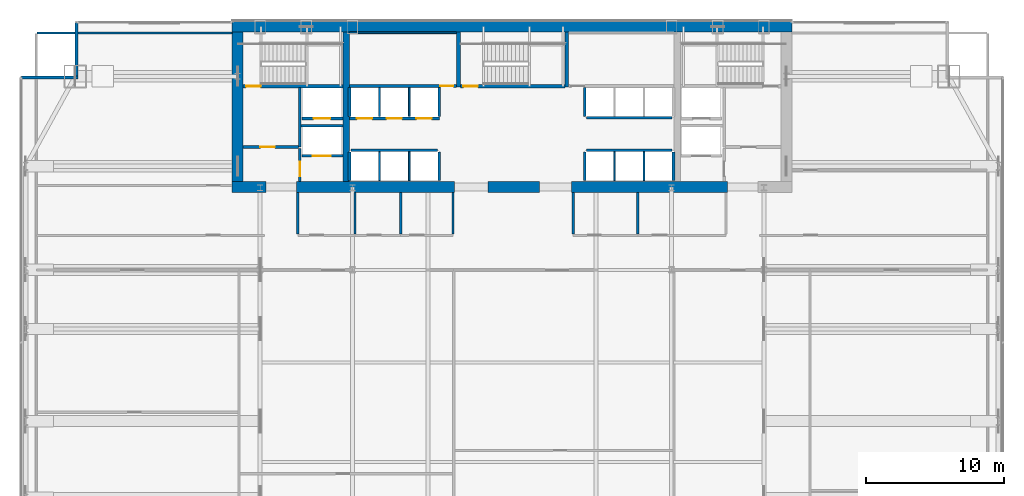
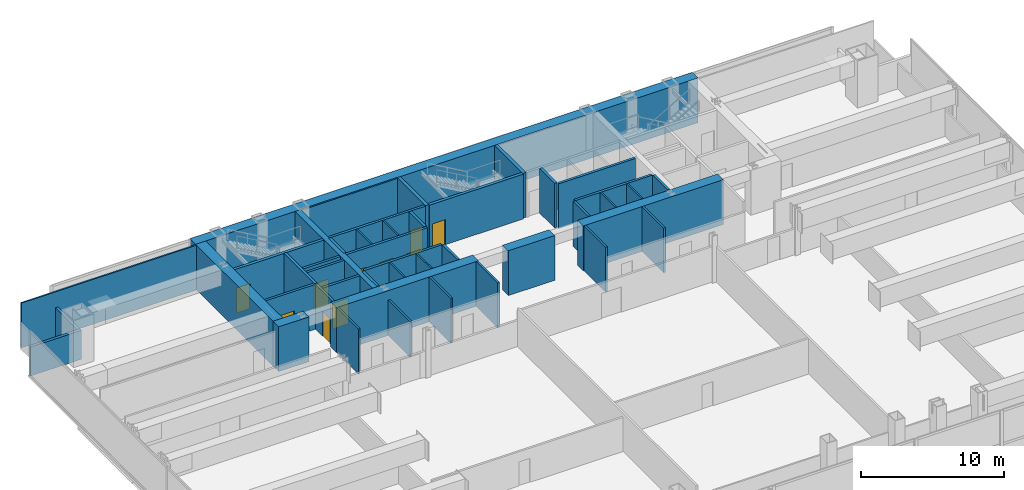
# One storey, part 28 of 32: 45 walls, 10 doors, 10 openings.
"""IFC4 building model written with IfcOpenShell, lengths in metres."""

from ifc_helpers import new_model, si_unit, direction, frame, frame_2d, origin, place, context, subcontext, project, spatial, rectangle, extrude, material, layer, layer_set, type_object, element, fill, save


model = new_model("IFC4")

# Units and contexts
model_context = context("Model", 3, precision=1e-05, world=origin(), true_north=direction((0.0, 1.0)))
body_context = subcontext(model_context, "Body", "Model", "MODEL_VIEW")
ifc_project = project(units=[si_unit("LENGTHUNIT", "METRE"), si_unit("AREAUNIT", "SQUARE_METRE"), si_unit("VOLUMEUNIT", "CUBIC_METRE"), si_unit("PLANEANGLEUNIT", "RADIAN"), si_unit("MASSUNIT", "GRAM", prefix="KILO")], contexts=[model_context])

# Site, building, storey
site_placement = place(None, origin())
site = spatial("IfcSite", under=ifc_project, at=site_placement, CompositionType="ELEMENT")
building_placement = place(site_placement, origin())
building = spatial("IfcBuilding", under=site, at=building_placement, Name="Khoronbel Lancet Exchange", CompositionType="ELEMENT")
storey_placement = place(building_placement, frame((0.0, 0.0, 77.800048828125)))
storey = spatial("IfcBuildingStorey", under=building, at=storey_placement, Name="L18", CompositionType="ELEMENT", Elevation=77.800048828125)

# Walls
ifc_material_1 = material(Name="Concrete C80/95", Category="concrete")
ifc_layer_1 = layer(ifc_material_1, 0.800048828125, Name="Concrete C80/95")
ifc_layer_set_1 = layer_set([ifc_layer_1], Name="Concrete C80/95")
wall_type_1 = type_object("IfcWallType", Name="WL-CW1", PredefinedType="SHEAR", material=ifc_layer_set_1)
wall_1_placement = place(storey_placement, frame((16.199951171875, 53.300048828125, 0.0), z_axis=(0.0, 0.0, 1.0), x_axis=(1.0, 0.0, 0.0)))
element("IfcWall", 1, at=wall_1_placement, inside=storey, type_object=wall_type_1, Name="Level L18 rear core north shear wall", PredefinedType="SHEAR", context=body_context, shape_type="SweptSolid", body=[
    extrude(rectangle(XDim=40.5, YDim=0.800048828125, at=frame_2d((20.25, 0.0))), origin(), (0.0, 0.0, 1.0), 3.820068359375),
])
wall_2_placement = place(storey_placement, frame((16.60009765625, 42.10009765625, 0.0), z_axis=(0.0, 0.0, 1.0), x_axis=(0.0, 1.0, 0.0)))
element("IfcWall", 2, at=wall_2_placement, inside=storey, type_object=wall_type_1, Name="Level L18 rear core west shear wall", PredefinedType="SHEAR", context=body_context, shape_type="SweptSolid", body=[
    extrude(rectangle(XDim=10.7998046875, YDim=0.800048828125, at=frame_2d((5.39990234375, 0.0))), origin(), (0.0, 0.0, 1.0), 3.820068359375),
])
wall_3_placement = place(storey_placement, frame((18.64990234375, 41.699951171875, 0.0), z_axis=(0.0, 0.0, 1.0), x_axis=(-1.0, 0.0, 0.0)))
element("IfcWall", 3, at=wall_3_placement, inside=storey, type_object=wall_type_1, Name="Level L18 rear core south shear wall pier P1", PredefinedType="SHEAR", context=body_context, shape_type="SweptSolid", body=[
    extrude(rectangle(XDim=2.449951171875, YDim=0.800048828125, at=frame_2d((1.22509765625, 0.0))), origin(), (0.0, 0.0, 1.0), 3.820068359375),
])
wall_4_placement = place(storey_placement, frame((32.300048828125, 41.699951171875, 0.0), z_axis=(0.0, 0.0, 1.0), x_axis=(-1.0, 0.0, 0.0)))
element("IfcWall", 4, at=wall_4_placement, inside=storey, type_object=wall_type_1, Name="Level L18 rear core south shear wall pier P2", PredefinedType="SHEAR", context=body_context, shape_type="SweptSolid", body=[
    extrude(rectangle(XDim=11.449951171875, YDim=0.800048828125, at=frame_2d((5.72509765625, 0.0))), origin(), (0.0, 0.0, 1.0), 3.820068359375),
])
wall_5_placement = place(storey_placement, frame((38.449951171875, 41.699951171875, 0.0), z_axis=(0.0, 0.0, 1.0), x_axis=(-1.0, 0.0, 0.0)))
element("IfcWall", 5, at=wall_5_placement, inside=storey, type_object=wall_type_1, Name="Level L18 rear core south shear wall pier P3", PredefinedType="SHEAR", context=body_context, shape_type="SweptSolid", body=[
    extrude(rectangle(XDim=3.75, YDim=0.800048828125, at=frame_2d((1.875, 0.0))), origin(), (0.0, 0.0, 1.0), 3.820068359375),
])
wall_6_placement = place(storey_placement, frame((52.050048828125, 41.699951171875, 0.0), z_axis=(0.0, 0.0, 1.0), x_axis=(-1.0, 0.0, 0.0)))
element("IfcWall", 6, at=wall_6_placement, inside=storey, type_object=wall_type_1, Name="Level L18 rear core south shear wall pier P4", PredefinedType="SHEAR", context=body_context, shape_type="SweptSolid", body=[
    extrude(rectangle(XDim=11.300048828125, YDim=0.800048828125, at=frame_2d((5.64990234375, 0.0))), origin(), (0.0, 0.0, 1.0), 3.820068359375),
])
ifc_material_2 = material(Name="Precast concrete C40/50", Category="concrete")
ifc_layer_2 = layer(ifc_material_2, 0.25, Name="Precast concrete C40/50")
ifc_layer_set_2 = layer_set([ifc_layer_2], Name="Precast concrete C40/50")
wall_type_2 = type_object("IfcWallType", Name="WL-EXT250", PredefinedType="SOLIDWALL", material=ifc_layer_set_2)
wall_7_placement = place(storey_placement, frame((0.919921875, 49.610107421875, 0.0), z_axis=(0.0, 0.0, 1.0), x_axis=(1.0, 0.0, 0.0)))
element("IfcWall", 7, at=wall_7_placement, inside=storey, type_object=wall_type_2, Name="Level L18 notched-corner limestone pier 04", PredefinedType="SOLIDWALL", context=body_context, shape_type="SweptSolid", body=[
    extrude(rectangle(XDim=4.130126953125, YDim=0.219970703125, at=frame_2d((2.06494140625, 0.0))), origin(), (0.0, 0.0, 1.0), 2.469970703125),
])
wall_8_placement = place(storey_placement, frame((4.93994140625, 49.719970703125, 0.0), z_axis=(0.0, 0.0, 1.0), x_axis=(0.0, 1.0, 0.0)))
element("IfcWall", 8, at=wall_8_placement, inside=storey, type_object=wall_type_2, Name="Level L18 notched-corner limestone pier 05", PredefinedType="SOLIDWALL", context=body_context, shape_type="SweptSolid", body=[
    extrude(rectangle(XDim=3.909912109375, YDim=0.219970703125, at=frame_2d((1.955078125, 0.0))), origin(), (0.0, 0.0, 1.0), 2.469970703125),
])
ifc_material_3 = material(Name="Acoustic Metal-Stud & Mineral-Wool Gypsum Partition 120 mm", Category="gypsum")
ifc_layer_3 = layer(ifc_material_3, 0.1201171875, Name="Acoustic Metal-Stud & Mineral-Wool Gypsum Partition 120 mm")
ifc_layer_set_3 = layer_set([ifc_layer_3], Name="Acoustic Metal-Stud & Mineral-Wool Gypsum Partition 120 mm")
wall_type_3 = type_object("IfcWallType", Name="WL-PRT120", PredefinedType="PARTITIONING", material=ifc_layer_set_3)
wall_9_placement = place(storey_placement, frame((20.949951171875, 38.280029296875, 0.0), z_axis=(0.0, 0.0, 1.0), x_axis=(0.0, 1.0, 0.0)))
element("IfcWall", 9, at=wall_9_placement, inside=storey, type_object=wall_type_3, Name="Level L18 interior partition PW-WC-0", PredefinedType="PARTITIONING", context=body_context, shape_type="SweptSolid", body=[
    extrude(rectangle(XDim=3.02001953125, YDim=0.14990234375, at=frame_2d((1.510009765625, 0.0))), origin(), (0.0, 0.0, 1.0), 3.820068359375),
])
wall_10_placement = place(storey_placement, frame((25.10009765625, 38.280029296875, 0.0), z_axis=(0.0, 0.0, 1.0), x_axis=(0.0, 1.0, 0.0)))
element("IfcWall", 10, at=wall_10_placement, inside=storey, type_object=wall_type_3, Name="Level L18 interior partition PW-WC-1", PredefinedType="PARTITIONING", context=body_context, shape_type="SweptSolid", body=[
    extrude(rectangle(XDim=3.02001953125, YDim=0.14990234375, at=frame_2d((1.510009765625, 0.0))), origin(), (0.0, 0.0, 1.0), 3.010009765625),
])
for number, where, z_axis, x_axis, name in (
    (11, (28.39990234375, 38.280029296875, 0.0), (0.0, 0.0, 1.0), (0.0, 1.0, 0.0), "Level L18 interior partition PW-WC-2"),
    (12, (32.179931640625, 38.280029296875, 0.0), (0.0, 0.0, 1.0), (0.0, 1.0, 0.0), "Level L18 interior partition PW-WC-3"),
    (13, (40.8798828125, 38.280029296875, 0.0), (0.0, 0.0, 1.0), (0.0, 1.0, 0.0), "Level L18 interior partition PW-NP-0"),
    (14, (45.550048828125, 38.280029296875, 0.0), (0.0, 0.0, 1.0), (0.0, 1.0, 0.0), "Level L18 interior partition PW-NP-M"),
):
    element("IfcWall", number, at=place(storey_placement, frame(where, z_axis=z_axis, x_axis=x_axis)), inside=storey, type_object=wall_type_3, Name=name, PredefinedType="PARTITIONING", context=body_context, shape_type="SweptSolid", body=[
        extrude(rectangle(XDim=3.02001953125, YDim=0.14990234375, at=frame_2d((1.510009765625, 0.0))), origin(), (0.0, 0.0, 1.0), 3.820068359375),
    ])
wall_11_placement = place(storey_placement, frame((2.094970703125, 52.840087890625, 0.0), z_axis=(0.0, 0.0, 1.0), x_axis=(1.0, 0.0, 0.0)))
element("IfcWall", 15, at=wall_11_placement, inside=storey, type_object=wall_type_3, Name="Level L18 interior partition PW-LIN-NW", PredefinedType="PARTITIONING", context=body_context, shape_type="SweptSolid", body=[
    extrude(rectangle(XDim=14.10498046875, YDim=0.1201171875, at=frame_2d((7.052490234375, 0.0))), origin(), (0.0, 0.0, 1.0), 3.820068359375),
])
ifc_material_4 = material(Name="Fire-Rated Metal-Stud & Mineral-Wool Gypsum Partition 120 mm", Category="gypsum")
ifc_layer_4 = layer(ifc_material_4, 0.1201171875, Name="Fire-Rated Metal-Stud & Mineral-Wool Gypsum Partition 120 mm")
ifc_layer_set_4 = layer_set([ifc_layer_4], Name="Fire-Rated Metal-Stud & Mineral-Wool Gypsum Partition 120 mm")
wall_type_4 = type_object("IfcWallType", Name="WL-PRT120F", PredefinedType="PARTITIONING", material=ifc_layer_set_4)
for number, where, z_axis, x_axis, name in (
    (16, (26.860107421875, 46.800048828125, 0.0), (0.0, 0.0, 1.0), (0.0, 1.0, 0.0), "Level L18 interior partition CW-PL-D1"),
    (17, (29.02001953125, 46.800048828125, 0.0), (0.0, 0.0, 1.0), (0.0, 1.0, 0.0), "Level L18 interior partition CW-PL-D2"),
):
    element("IfcWall", number, at=place(storey_placement, frame(where, z_axis=z_axis, x_axis=x_axis)), inside=storey, type_object=wall_type_4, Name=name, PredefinedType="PARTITIONING", context=body_context, shape_type="SweptSolid", body=[
        extrude(rectangle(XDim=2.094970703125, YDim=0.1201171875, at=frame_2d((1.04736328125, 0.0))), origin(), (0.0, 0.0, 1.0), 3.820068359375),
    ])
for number, where, z_axis, x_axis, name in (
    (18, (26.860107421875, 42.14990234375, 0.0), (0.0, 0.0, 1.0), (0.0, 1.0, 0.0), "Level L18 interior partition CW-PM-D1"),
    (19, (29.02001953125, 42.14990234375, 0.0), (0.0, 0.0, 1.0), (0.0, 1.0, 0.0), "Level L18 interior partition CW-PM-D2"),
    (20, (43.860107421875, 42.14990234375, 0.0), (0.0, 0.0, 1.0), (0.0, 1.0, 0.0), "Level L18 interior partition CW-PX-D1"),
    (21, (46.0, 42.14990234375, 0.0), (0.0, 0.0, 1.0), (0.0, 1.0, 0.0), "Level L18 interior partition CW-PX-D2"),
):
    element("IfcWall", number, at=place(storey_placement, frame(where, z_axis=z_axis, x_axis=x_axis)), inside=storey, type_object=wall_type_4, Name=name, PredefinedType="PARTITIONING", context=body_context, shape_type="SweptSolid", body=[
        extrude(rectangle(XDim=2.09521484375, YDim=0.1201171875, at=frame_2d((1.047607421875, 0.0))), origin(), (0.0, 0.0, 1.0), 3.820068359375),
    ])
wall_12_placement = place(storey_placement, frame((24.699951171875, 52.860107421875, 0.0), z_axis=(0.0, 0.0, 1.0), x_axis=(1.0, 0.0, 0.0)))
element("IfcWall", 22, at=wall_12_placement, inside=storey, type_object=wall_type_4, Name="Level L18 interior partition CW-SUP-NW-N", PredefinedType="PARTITIONING", context=body_context, shape_type="SweptSolid", body=[
    extrude(rectangle(XDim=7.719970703125, YDim=0.1201171875, at=frame_2d((3.85986328125, 0.0))), origin(), (0.0, 0.0, 1.0), 3.820068359375),
])

# Wall, opening, door
ifc_material_5 = material(Name="Autoclaved Aerated Concrete Blockwork 200 mm", Category="masonry")
ifc_layer_5 = layer(ifc_material_5, 0.199951171875, Name="Autoclaved Aerated Concrete Blockwork 200 mm")
ifc_layer_set_5 = layer_set([ifc_layer_5], Name="Autoclaved Aerated Concrete Blockwork 200 mm")
wall_type_5 = type_object("IfcWallType", Name="WL-PRT200", PredefinedType="PARTITIONING", material=ifc_layer_set_5)
wall_13_placement = place(storey_placement, frame((24.2099609375, 43.949951171875, 0.0), z_axis=(0.0, 0.0, 1.0), x_axis=(-1.0, 0.0, 0.0)))
wall_13 = element("IfcWall", 23, at=wall_13_placement, inside=storey, type_object=wall_type_5, Name="Level L18 elevator hoistway landing front wall SVLW", PredefinedType="PARTITIONING", context=body_context, shape_type="SweptSolid", body=[
    extrude(rectangle(XDim=2.969970703125, YDim=0.199951171875, at=frame_2d((1.48486328125, 0.0))), origin(), (0.0, 0.0, 1.0), 3.820068359375),
])
opening_1_placement = place(wall_13_placement, frame((0.860107421875, 0.0, 0.0)))
opening_1 = element("IfcOpeningElement", 24, at=opening_1_placement, cuts=wall_13, Name="Opening LD-SVL1", PredefinedType="OPENING", context=body_context, shape_type="SweptSolid", body=[
    extrude(rectangle(XDim=1.300048828125, YDim=2.179931640625, at=frame_2d((0.64990234375, 1.08984375))), frame((0.0, 0.10986328125, 0.0), z_axis=(0.0, -1.0, 0.0), x_axis=(1.0, 0.0, 0.0)), (0.0, 0.0, 1.0), 0.219970703125),
])
ifc_material_6 = material(Name="Heavy-Duty Bi-Parting Goods Lift Landing Door", Category="steel")
door_type_1 = type_object("IfcDoorType", Name="DR-LD-SVL", OperationType="NOTDEFINED", PredefinedType="DOOR", material=ifc_material_6)
door_1_placement = place(opening_1_placement, origin())
door_1 = element("IfcDoor", 25, at=door_1_placement, inside=storey, type_object=door_type_1, Name="Elevator landing sliding door LD-SVL1 L18", OperationType="SLIDING_TO_LEFT", OverallHeight=2.179931640625, OverallWidth=1.300048828125, PredefinedType="DOOR", context=body_context, shape_type="SweptSolid", body=[
    extrude(rectangle(XDim=1.300048828125, YDim=2.179931640625, at=frame_2d((0.64990234375, 1.08984375))), frame((0.0, 0.02490234375, 0.0), z_axis=(0.0, -1.0, 0.0), x_axis=(1.0, 0.0, 0.0)), (0.0, 0.0, 1.0), 0.050048828125),
])
fill(opening_1, door_1)

wall_14_placement = place(storey_placement, frame((24.2099609375, 46.64990234375, 0.0), z_axis=(0.0, 0.0, 1.0), x_axis=(-1.0, 0.0, 0.0)))
wall_14 = element("IfcWall", 26, at=wall_14_placement, inside=storey, type_object=wall_type_5, Name="Level L18 elevator hoistway landing front wall FFLW", PredefinedType="PARTITIONING", context=body_context, shape_type="SweptSolid", body=[
    extrude(rectangle(XDim=2.969970703125, YDim=0.199951171875, at=frame_2d((1.48486328125, 0.0))), origin(), (0.0, 0.0, 1.0), 3.820068359375),
])
opening_2_placement = place(wall_14_placement, frame((0.909912109375, 0.0, 0.0)))
opening_2 = element("IfcOpeningElement", 27, at=opening_2_placement, cuts=wall_14, Name="Opening LD-FFL1", PredefinedType="OPENING", context=body_context, shape_type="SweptSolid", body=[
    extrude(rectangle(XDim=1.199951171875, YDim=2.179931640625, at=frame_2d((0.60009765625, 1.08984375))), frame((0.0, 0.10986328125, 0.0), z_axis=(0.0, -1.0, 0.0), x_axis=(1.0, 0.0, 0.0)), (0.0, 0.0, 1.0), 0.219970703125),
])
ifc_material_7 = material(Name="Fire-Rated Stainless Bi-Parting Firefighting Lift Door", Category="steel")
door_type_2 = type_object("IfcDoorType", Name="DR-LD-FFL", OperationType="NOTDEFINED", PredefinedType="DOOR", material=ifc_material_7)
door_2_placement = place(opening_2_placement, origin())
door_2 = element("IfcDoor", 28, at=door_2_placement, inside=storey, type_object=door_type_2, Name="Elevator landing sliding door LD-FFL1 L18", OperationType="SLIDING_TO_LEFT", OverallHeight=2.179931640625, OverallWidth=1.199951171875, PredefinedType="DOOR", context=body_context, shape_type="SweptSolid", body=[
    extrude(rectangle(XDim=1.199951171875, YDim=2.179931640625, at=frame_2d((0.60009765625, 1.08984375))), frame((0.0, 0.02490234375, 0.0), z_axis=(0.0, -1.0, 0.0), x_axis=(1.0, 0.0, 0.0)), (0.0, 0.0, 1.0), 0.050048828125),
])
fill(opening_2, door_2)

# Wall, openings, doors
wall_15_placement = place(storey_placement, frame((31.219970703125, 46.64990234375, 0.0), z_axis=(0.0, 0.0, 1.0), x_axis=(-1.0, 0.0, 0.0)))
wall_15 = element("IfcWall", 29, at=wall_15_placement, inside=storey, type_object=wall_type_5, Name="Level L18 elevator hoistway landing front wall PLW", PredefinedType="PARTITIONING", context=body_context, shape_type="SweptSolid", body=[
    extrude(rectangle(XDim=6.530029296875, YDim=0.199951171875, at=frame_2d((3.26513671875, 0.0))), origin(), (0.0, 0.0, 1.0), 3.820068359375),
])
opening_3_placement = place(wall_15_placement, frame((4.89990234375, 0.0, 0.0)))
opening_3 = element("IfcOpeningElement", 30, at=opening_3_placement, cuts=wall_15, Name="Opening LD-PL1", PredefinedType="OPENING", context=body_context, shape_type="SweptSolid", body=[
    extrude(rectangle(XDim=1.10009765625, YDim=2.179931640625, at=frame_2d((0.550048828125, 1.08984375))), frame((0.0, 0.10986328125, 0.0), z_axis=(0.0, -1.0, 0.0), x_axis=(1.0, 0.0, 0.0)), (0.0, 0.0, 1.0), 0.219970703125),
])
opening_4_placement = place(wall_15_placement, frame((2.739990234375, 0.0, 0.0)))
opening_4 = element("IfcOpeningElement", 31, at=opening_4_placement, cuts=wall_15, Name="Opening LD-PL2", PredefinedType="OPENING", context=body_context, shape_type="SweptSolid", body=[
    extrude(rectangle(XDim=1.10009765625, YDim=2.179931640625, at=frame_2d((0.550048828125, 1.08984375))), frame((0.0, 0.10986328125, 0.0), z_axis=(0.0, -1.0, 0.0), x_axis=(1.0, 0.0, 0.0)), (0.0, 0.0, 1.0), 0.219970703125),
])
opening_5_placement = place(wall_15_placement, frame((0.580078125, 0.0, 0.0)))
opening_5 = element("IfcOpeningElement", 32, at=opening_5_placement, cuts=wall_15, Name="Opening LD-PL3", PredefinedType="OPENING", context=body_context, shape_type="SweptSolid", body=[
    extrude(rectangle(XDim=1.10009765625, YDim=2.179931640625, at=frame_2d((0.550048828125, 1.08984375))), frame((0.0, 0.10986328125, 0.0), z_axis=(0.0, -1.0, 0.0), x_axis=(1.0, 0.0, 0.0)), (0.0, 0.0, 1.0), 0.219970703125),
])
ifc_material_8 = material(Name="Brushed Bronze Bi-Parting Elevator Landing Door", Category="steel")
door_type_3 = type_object("IfcDoorType", Name="DR-LD-PAX", OperationType="NOTDEFINED", PredefinedType="DOOR", material=ifc_material_8)
door_3_placement = place(opening_3_placement, origin())
door_3 = element("IfcDoor", 33, at=door_3_placement, inside=storey, type_object=door_type_3, Name="Elevator landing sliding door LD-PL1 L18", OperationType="SLIDING_TO_LEFT", OverallHeight=2.179931640625, OverallWidth=1.10009765625, PredefinedType="DOOR", context=body_context, shape_type="SweptSolid", body=[
    extrude(rectangle(XDim=1.10009765625, YDim=2.179931640625, at=frame_2d((0.550048828125, 1.08984375))), frame((0.0, 0.02490234375, 0.0), z_axis=(0.0, -1.0, 0.0), x_axis=(1.0, 0.0, 0.0)), (0.0, 0.0, 1.0), 0.050048828125),
])
fill(opening_3, door_3)
door_4_placement = place(opening_4_placement, origin())
door_4 = element("IfcDoor", 34, at=door_4_placement, inside=storey, type_object=door_type_3, Name="Elevator landing sliding door LD-PL2 L18", OperationType="SLIDING_TO_LEFT", OverallHeight=2.179931640625, OverallWidth=1.10009765625, PredefinedType="DOOR", context=body_context, shape_type="SweptSolid", body=[
    extrude(rectangle(XDim=1.10009765625, YDim=2.179931640625, at=frame_2d((0.550048828125, 1.08984375))), frame((0.0, 0.02490234375, 0.0), z_axis=(0.0, -1.0, 0.0), x_axis=(1.0, 0.0, 0.0)), (0.0, 0.0, 1.0), 0.050048828125),
])
fill(opening_4, door_4)
door_5_placement = place(opening_5_placement, origin())
door_5 = element("IfcDoor", 35, at=door_5_placement, inside=storey, type_object=door_type_3, Name="Elevator landing sliding door LD-PL3 L18", OperationType="SLIDING_TO_LEFT", OverallHeight=2.179931640625, OverallWidth=1.10009765625, PredefinedType="DOOR", context=body_context, shape_type="SweptSolid", body=[
    extrude(rectangle(XDim=1.10009765625, YDim=2.179931640625, at=frame_2d((0.550048828125, 1.08984375))), frame((0.0, 0.02490234375, 0.0), z_axis=(0.0, -1.0, 0.0), x_axis=(1.0, 0.0, 0.0)), (0.0, 0.0, 1.0), 0.050048828125),
])
fill(opening_5, door_5)

# Wall
wall_16_placement = place(storey_placement, frame((21.10009765625, 44.60009765625, 0.0), z_axis=(0.0, 0.0, 1.0), x_axis=(0.0, 1.0, 0.0)))
element("IfcWall", 36, at=wall_16_placement, inside=storey, type_object=wall_type_5, Name="Level L18 interior partition CW-FFLW-E", PredefinedType="PARTITIONING", context=body_context, shape_type="SweptSolid", body=[
    extrude(rectangle(XDim=4.2998046875, YDim=0.199951171875, at=frame_2d((2.14990234375, 0.0))), origin(), (0.0, 0.0, 1.0), 3.820068359375),
])

# Wall, opening, door
wall_17_placement = place(storey_placement, frame((17.0, 44.60009765625, 0.0), z_axis=(0.0, 0.0, 1.0), x_axis=(1.0, 0.0, 0.0)))
wall_17 = element("IfcWall", 37, at=wall_17_placement, inside=storey, type_object=wall_type_5, Name="Level L18 interior partition CW-FFLW-S", PredefinedType="PARTITIONING", context=body_context, shape_type="SweptSolid", body=[
    extrude(rectangle(XDim=4.0, YDim=0.199951171875, at=frame_2d((2.0, 0.0))), origin(), (0.0, 0.0, 1.0), 3.820068359375),
])
opening_6_placement = place(wall_17_placement, frame((1.25, 0.0, 0.0)))
opening_6 = element("IfcOpeningElement", 38, at=opening_6_placement, cuts=wall_17, Name="Opening FD1", PredefinedType="OPENING", context=body_context, shape_type="SweptSolid", body=[
    extrude(rectangle(XDim=1.050048828125, YDim=2.14990234375, at=frame_2d((0.52490234375, 1.074951171875))), frame((0.0, 0.10986328125, 0.0), z_axis=(0.0, -1.0, 0.0), x_axis=(1.0, 0.0, 0.0)), (0.0, 0.0, 1.0), 0.219970703125),
])
ifc_material_9 = material(Name="Fire-Rated Painted Steel Door Assembly", Category="steel")
door_type_4 = type_object("IfcDoorType", Name="DR-FD1", OperationType="NOTDEFINED", PredefinedType="DOOR", material=ifc_material_9)
door_6_placement = place(opening_6_placement, origin())
door_6 = element("IfcDoor", 39, at=door_6_placement, inside=storey, type_object=door_type_4, Name="West firefighting lobby FD90S door L18-1", OperationType="SINGLE_SWING_RIGHT", OverallHeight=2.14990234375, OverallWidth=1.050048828125, PredefinedType="DOOR", context=body_context, shape_type="SweptSolid", body=[
    extrude(rectangle(XDim=1.050048828125, YDim=2.14990234375, at=frame_2d((0.52490234375, 1.074951171875))), frame((0.0, 0.02490234375, 0.0), z_axis=(0.0, -1.0, 0.0), x_axis=(1.0, 0.0, 0.0)), (0.0, 0.0, 1.0), 0.050048828125),
])
fill(opening_6, door_6)

# Wall
wall_18_placement = place(storey_placement, frame((21.199951171875, 46.1201171875, 0.0), z_axis=(0.0, 0.0, 1.0), x_axis=(1.0, 0.0, 0.0)))
element("IfcWall", 40, at=wall_18_placement, inside=storey, type_object=wall_type_5, Name="Level L18 interior partition CW-FFL1-S", PredefinedType="PARTITIONING", context=body_context, shape_type="SweptSolid", body=[
    extrude(rectangle(XDim=3.02001953125, YDim=0.199951171875, at=frame_2d((1.510009765625, 0.0))), origin(), (0.0, 0.0, 1.0), 3.820068359375),
])

# Wall, opening, door
wall_19_placement = place(storey_placement, frame((21.10009765625, 42.10009765625, 0.0), z_axis=(0.0, 0.0, 1.0), x_axis=(0.0, 1.0, 0.0)))
wall_19 = element("IfcWall", 41, at=wall_19_placement, inside=storey, type_object=wall_type_5, Name="Level L18 interior partition CW-SVLW-W", PredefinedType="PARTITIONING", context=body_context, shape_type="SweptSolid", body=[
    extrude(rectangle(XDim=2.39501953125, YDim=0.199951171875, at=frame_2d((1.197509765625, 0.0))), origin(), (0.0, 0.0, 1.0), 3.820068359375),
])
opening_7_placement = place(wall_19_placement, frame((0.3798828125, 0.0, 0.0)))
opening_7 = element("IfcOpeningElement", 42, at=opening_7_placement, cuts=wall_19, Name="Opening FD1", PredefinedType="OPENING", context=body_context, shape_type="SweptSolid", body=[
    extrude(rectangle(XDim=1.050048828125, YDim=2.14990234375, at=frame_2d((0.52490234375, 1.074951171875))), frame((0.0, 0.10986328125, 0.0), z_axis=(0.0, -1.0, 0.0), x_axis=(1.0, 0.0, 0.0)), (0.0, 0.0, 1.0), 0.219970703125),
])
door_7_placement = place(opening_7_placement, origin())
door_7 = element("IfcDoor", 43, at=door_7_placement, inside=storey, type_object=door_type_4, Name="West service lift lobby door L18-1", OperationType="SINGLE_SWING_LEFT", OverallHeight=2.14990234375, OverallWidth=1.050048828125, PredefinedType="DOOR", context=body_context, shape_type="SweptSolid", body=[
    extrude(rectangle(XDim=1.050048828125, YDim=2.14990234375, at=frame_2d((0.52490234375, 1.074951171875))), frame((0.0, 0.02490234375, 0.0), z_axis=(0.0, -1.0, 0.0), x_axis=(1.0, 0.0, 0.0)), (0.0, 0.0, 1.0), 0.050048828125),
])
fill(opening_7, door_7)

# Walls
for number, where, z_axis, x_axis, name in (
    (44, (24.699951171875, 46.800048828125, 0.0), (0.0, 0.0, 1.0), (0.0, 1.0, 0.0), "Level L18 interior partition CW-PL-W"),
    (45, (31.179931640625, 46.800048828125, 0.0), (0.0, 0.0, 1.0), (0.0, 1.0, 0.0), "Level L18 interior partition CW-PL-E"),
):
    element("IfcWall", number, at=place(storey_placement, frame(where, z_axis=z_axis, x_axis=x_axis)), inside=storey, type_object=wall_type_5, Name=name, PredefinedType="PARTITIONING", context=body_context, shape_type="SweptSolid", body=[
        extrude(rectangle(XDim=2.094970703125, YDim=0.199951171875, at=frame_2d((1.04736328125, 0.0))), origin(), (0.0, 0.0, 1.0), 3.820068359375),
    ])
wall_20_placement = place(storey_placement, frame((24.804931640625, 44.35009765625, 0.0), z_axis=(0.0, 0.0, 1.0), x_axis=(1.0, 0.0, 0.0)))
element("IfcWall", 46, at=wall_20_placement, inside=storey, type_object=wall_type_5, Name="Level L18 interior partition CW-PM-EXP", PredefinedType="PARTITIONING", context=body_context, shape_type="SweptSolid", body=[
    extrude(rectangle(XDim=6.27001953125, YDim=0.199951171875, at=frame_2d((3.135009765625, 0.0))), origin(), (0.0, 0.0, 1.0), 3.820068359375),
])
for number, where, z_axis, x_axis, name in (
    (47, (24.699951171875, 42.14990234375, 0.0), (0.0, 0.0, 1.0), (0.0, 1.0, 0.0), "Level L18 interior partition CW-PM-W"),
    (48, (31.179931640625, 42.14990234375, 0.0), (0.0, 0.0, 1.0), (0.0, 1.0, 0.0), "Level L18 interior partition CW-PM-E"),
):
    element("IfcWall", number, at=place(storey_placement, frame(where, z_axis=z_axis, x_axis=x_axis)), inside=storey, type_object=wall_type_5, Name=name, PredefinedType="PARTITIONING", context=body_context, shape_type="SweptSolid", body=[
        extrude(rectangle(XDim=2.09521484375, YDim=0.199951171875, at=frame_2d((1.047607421875, 0.0))), origin(), (0.0, 0.0, 1.0), 3.820068359375),
    ])
wall_21_placement = place(storey_placement, frame((41.824951171875, 46.699951171875, 0.0), z_axis=(0.0, 0.0, 1.0), x_axis=(1.0, 0.0, 0.0)))
element("IfcWall", 49, at=wall_21_placement, inside=storey, type_object=wall_type_5, Name="Level L18 interior partition CW-PH-EXP", PredefinedType="PARTITIONING", context=body_context, shape_type="SweptSolid", body=[
    extrude(rectangle(XDim=6.2099609375, YDim=0.199951171875, at=frame_2d((3.10498046875, 0.0))), origin(), (0.0, 0.0, 1.0), 3.820068359375),
])
wall_22_placement = place(storey_placement, frame((41.719970703125, 46.804931640625, 0.0), z_axis=(0.0, 0.0, 1.0), x_axis=(0.0, 1.0, 0.0)))
element("IfcWall", 50, at=wall_22_placement, inside=storey, type_object=wall_type_5, Name="Level L18 interior partition CW-PH-W", PredefinedType="PARTITIONING", context=body_context, shape_type="SweptSolid", body=[
    extrude(rectangle(XDim=2.090087890625, YDim=0.199951171875, at=frame_2d((1.044921875, 0.0))), origin(), (0.0, 0.0, 1.0), 3.820068359375),
])
wall_23_placement = place(storey_placement, frame((41.824951171875, 44.35009765625, 0.0), z_axis=(0.0, 0.0, 1.0), x_axis=(1.0, 0.0, 0.0)))
element("IfcWall", 51, at=wall_23_placement, inside=storey, type_object=wall_type_5, Name="Level L18 interior partition CW-PX-EXP", PredefinedType="PARTITIONING", context=body_context, shape_type="SweptSolid", body=[
    extrude(rectangle(XDim=6.2099609375, YDim=0.199951171875, at=frame_2d((3.10498046875, 0.0))), origin(), (0.0, 0.0, 1.0), 3.820068359375),
])
for number, where, z_axis, x_axis, name in (
    (52, (41.719970703125, 42.14990234375, 0.0), (0.0, 0.0, 1.0), (0.0, 1.0, 0.0), "Level L18 interior partition CW-PX-W"),
    (53, (48.139892578125, 42.14990234375, 0.0), (0.0, 0.0, 1.0), (0.0, 1.0, 0.0), "Level L18 interior partition CW-PX-E"),
):
    element("IfcWall", number, at=place(storey_placement, frame(where, z_axis=z_axis, x_axis=x_axis)), inside=storey, type_object=wall_type_5, Name=name, PredefinedType="PARTITIONING", context=body_context, shape_type="SweptSolid", body=[
        extrude(rectangle(XDim=2.09521484375, YDim=0.199951171875, at=frame_2d((1.047607421875, 0.0))), origin(), (0.0, 0.0, 1.0), 3.820068359375),
    ])

# Wall, opening, door
wall_24_placement = place(storey_placement, frame((24.699951171875, 49.0, 0.0), z_axis=(0.0, 0.0, 1.0), x_axis=(1.0, 0.0, 0.0)))
wall_24 = element("IfcWall", 54, at=wall_24_placement, inside=storey, type_object=wall_type_5, Name="Level L18 interior partition CW-SUP-NW-S", PredefinedType="PARTITIONING", context=body_context, shape_type="SweptSolid", body=[
    extrude(rectangle(XDim=7.719970703125, YDim=0.199951171875, at=frame_2d((3.85986328125, 0.0))), origin(), (0.0, 0.0, 1.0), 3.820068359375),
])
opening_8_placement = place(wall_24_placement, frame((6.56005859375, 0.0, 0.0)))
opening_8 = element("IfcOpeningElement", 55, at=opening_8_placement, cuts=wall_24, Name="Opening FD3", PredefinedType="OPENING", context=body_context, shape_type="SweptSolid", body=[
    extrude(rectangle(XDim=0.949951171875, YDim=2.10009765625, at=frame_2d((0.47509765625, 1.050048828125))), frame((0.0, 0.10986328125, 0.0), z_axis=(0.0, -1.0, 0.0), x_axis=(1.0, 0.0, 0.0)), (0.0, 0.0, 1.0), 0.219970703125),
])
ifc_material_10 = material(Name="Fire-Rated Steel Plant & Riser Door Assembly", Category="steel")
door_type_5 = type_object("IfcDoorType", Name="DR-FD3", OperationType="NOTDEFINED", PredefinedType="DOOR", material=ifc_material_10)
door_8_placement = place(opening_8_placement, origin())
door_8 = element("IfcDoor", 56, at=door_8_placement, inside=storey, type_object=door_type_5, Name="Core NW support room door L18-1", OperationType="SINGLE_SWING_RIGHT", OverallHeight=2.10009765625, OverallWidth=0.949951171875, PredefinedType="DOOR", context=body_context, shape_type="SweptSolid", body=[
    extrude(rectangle(XDim=0.949951171875, YDim=2.10009765625, at=frame_2d((0.47509765625, 1.050048828125))), frame((0.0, 0.02490234375, 0.0), z_axis=(0.0, -1.0, 0.0), x_axis=(1.0, 0.0, 0.0)), (0.0, 0.0, 1.0), 0.050048828125),
])
fill(opening_8, door_8)

# Walls
ifc_layer_6 = layer(ifc_material_1, 0.449951171875, Name="Concrete C80/95")
ifc_layer_set_6 = layer_set([ifc_layer_6], Name="Concrete C80/95")
wall_type_6 = type_object("IfcWallType", Name="WL-SW1", PredefinedType="SHEAR", material=ifc_layer_set_6)
wall_25_placement = place(storey_placement, frame((24.449951171875, 42.10009765625, 0.0), z_axis=(0.0, 0.0, 1.0), x_axis=(0.0, 1.0, 0.0)))
element("IfcWall", 57, at=wall_25_placement, inside=storey, type_object=wall_type_6, Name="Level L18 rear core internal spine shear wall IW", PredefinedType="SHEAR", context=body_context, shape_type="SweptSolid", body=[
    extrude(rectangle(XDim=10.7998046875, YDim=0.449951171875, at=frame_2d((5.39990234375, 0.0))), origin(), (0.0, 0.0, 1.0), 3.820068359375),
])
ifc_material_11 = material(Name="Concrete C60/75", Category="concrete")
ifc_layer_7 = layer(ifc_material_11, 0.260009765625, Name="Concrete C60/75")
ifc_layer_set_7 = layer_set([ifc_layer_7], Name="Concrete C60/75")
wall_type_7 = type_object("IfcWallType", Name="WL-SW3", PredefinedType="SHEAR", material=ifc_layer_set_7)
for number, where, z_axis, x_axis, name in (
    (58, (32.580078125, 48.949951171875, 0.0), (0.0, 0.0, 1.0), (0.0, 1.0, 0.0), "Level L18 central stairwell structural shear wall ST3W"),
    (59, (40.419921875, 48.949951171875, 0.0), (0.0, 0.0, 1.0), (0.0, 1.0, 0.0), "Level L18 central stairwell structural shear wall ST3E"),
):
    element("IfcWall", number, at=place(storey_placement, frame(where, z_axis=z_axis, x_axis=x_axis)), inside=storey, type_object=wall_type_7, Name=name, PredefinedType="SHEAR", context=body_context, shape_type="SweptSolid", body=[
        extrude(rectangle(XDim=3.949951171875, YDim=0.260009765625, at=frame_2d((1.97509765625, 0.0))), origin(), (0.0, 0.0, 1.0), 3.820068359375),
    ])

# Wall, opening, door
wall_26_placement = place(storey_placement, frame((17.0, 48.97998046875, 0.0), z_axis=(0.0, 0.0, 1.0), x_axis=(1.0, 0.0, 0.0)))
wall_26 = element("IfcWall", 60, at=wall_26_placement, inside=storey, type_object=wall_type_7, Name="Level L18 west stairwell structural south wall", PredefinedType="SHEAR", context=body_context, shape_type="SweptSolid", body=[
    extrude(rectangle(XDim=7.219970703125, YDim=0.239990234375, at=frame_2d((3.60986328125, 0.0))), origin(), (0.0, 0.0, 1.0), 3.820068359375),
])
opening_9_placement = place(wall_26_placement, frame((0.219970703125, 0.0, 0.0)))
opening_9 = element("IfcOpeningElement", 61, at=opening_9_placement, cuts=wall_26, Name="Opening SD1", PredefinedType="OPENING", context=body_context, shape_type="SweptSolid", body=[
    extrude(rectangle(XDim=1.050048828125, YDim=2.14990234375, at=frame_2d((0.52490234375, 1.074951171875))), frame((0.0, 0.1298828125, 0.0), z_axis=(0.0, -1.0, 0.0), x_axis=(1.0, 0.0, 0.0)), (0.0, 0.0, 1.0), 0.260009765625),
])
ifc_material_12 = material(Name="Fire-Rated Steel Stairwell Door Assembly", Category="steel")
door_type_6 = type_object("IfcDoorType", Name="DR-SD1", OperationType="NOTDEFINED", PredefinedType="DOOR", material=ifc_material_12)
door_9_placement = place(opening_9_placement, origin())
door_9 = element("IfcDoor", 62, at=door_9_placement, inside=storey, type_object=door_type_6, Name="Protected exit stair ST1 door L18", OperationType="SINGLE_SWING_LEFT", OverallHeight=2.14990234375, OverallWidth=1.050048828125, PredefinedType="DOOR", context=body_context, shape_type="SweptSolid", body=[
    extrude(rectangle(XDim=1.050048828125, YDim=2.14990234375, at=frame_2d((0.52490234375, 1.074951171875))), frame((0.0, 0.02490234375, 0.0), z_axis=(0.0, -1.0, 0.0), x_axis=(1.0, 0.0, 0.0)), (0.0, 0.0, 1.0), 0.050048828125),
])
fill(opening_9, door_9)

wall_27_placement = place(storey_placement, frame((32.719970703125, 48.97998046875, 0.0), z_axis=(0.0, 0.0, 1.0), x_axis=(1.0, 0.0, 0.0)))
wall_27 = element("IfcWall", 63, at=wall_27_placement, inside=storey, type_object=wall_type_7, Name="Level L18 central stairwell structural south wall", PredefinedType="SHEAR", context=body_context, shape_type="SweptSolid", body=[
    extrude(rectangle(XDim=7.56005859375, YDim=0.239990234375, at=frame_2d((3.780029296875, 0.0))), origin(), (0.0, 0.0, 1.0), 3.820068359375),
])
opening_10_placement = place(wall_27_placement, frame((0.219970703125, 0.0, 0.0)))
opening_10 = element("IfcOpeningElement", 64, at=opening_10_placement, cuts=wall_27, Name="Opening SD1", PredefinedType="OPENING", context=body_context, shape_type="SweptSolid", body=[
    extrude(rectangle(XDim=1.050048828125, YDim=2.14990234375, at=frame_2d((0.52490234375, 1.074951171875))), frame((0.0, 0.1298828125, 0.0), z_axis=(0.0, -1.0, 0.0), x_axis=(1.0, 0.0, 0.0)), (0.0, 0.0, 1.0), 0.260009765625),
])
door_10_placement = place(opening_10_placement, origin())
door_10 = element("IfcDoor", 65, at=door_10_placement, inside=storey, type_object=door_type_6, Name="Protected exit stair ST3 door L18", OperationType="SINGLE_SWING_LEFT", OverallHeight=2.14990234375, OverallWidth=1.050048828125, PredefinedType="DOOR", context=body_context, shape_type="SweptSolid", body=[
    extrude(rectangle(XDim=1.050048828125, YDim=2.14990234375, at=frame_2d((0.52490234375, 1.074951171875))), frame((0.0, 0.02490234375, 0.0), z_axis=(0.0, -1.0, 0.0), x_axis=(1.0, 0.0, 0.0)), (0.0, 0.0, 1.0), 0.050048828125),
])
fill(opening_10, door_10)

save(model, "model.ifc")
